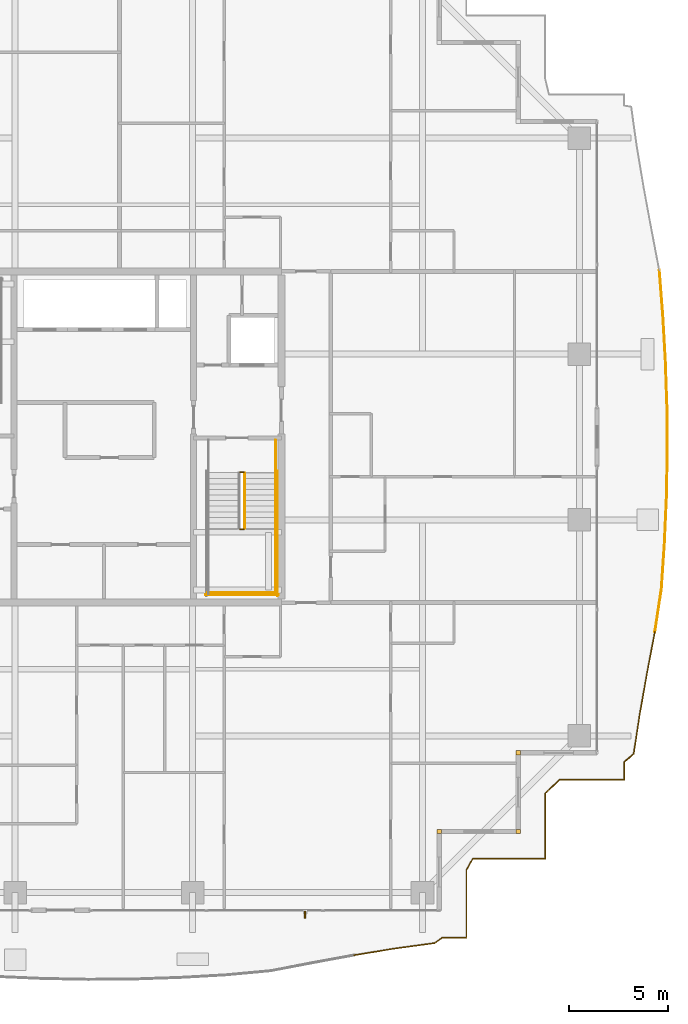
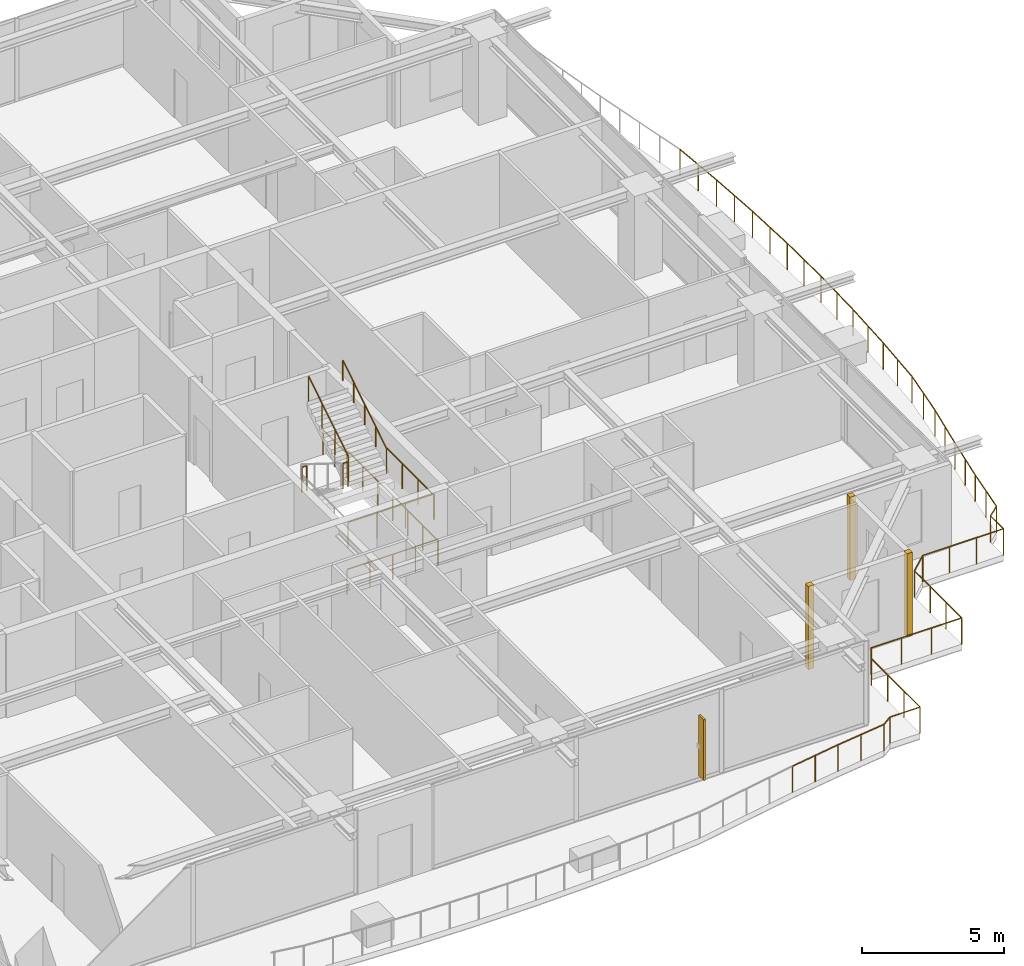
# One storey, part 36 of 37: 12 railings, 3 coverings, 1 shading device.
"""IFC4 building model written with IfcOpenShell, lengths in metres."""

import ifcopenshell
import ifcopenshell.guid

model = None  # the IFC model being written
_history = None  # IfcOwnerHistory: only IFC2X3 demands one
_inside = {}  # id of a spatial element -> (the spatial element, [elements in it])
_under = {}  # id of a project, library or spatial element -> (it, [spatial elements below it])
_declared = {}  # id of a project -> (the project, [libraries it declares])
_typed = {}  # id of a type object -> (the type object, [elements of that type])
_made_of = {}  # id of a material, layer set ... -> (it, [elements and type objects made of it])


def new_model(schema):
    """Start an empty IFC model of exactly this schema.

    Asked for "IFC4X3", IfcOpenShell would pick the latest addendum, in which some entities
    have other attributes; the version numbers below select the first issue.
    IFC2X3 requires an IfcOwnerHistory on every rooted entity: one is made here for all.
    """
    global model, _history
    if schema == "IFC4X3":
        model = ifcopenshell.file(schema_version=(4, 3, 0, 0))
    else:
        model = ifcopenshell.file(schema=schema)
    _inside.clear()
    _under.clear()
    _declared.clear()
    _typed.clear()
    _made_of.clear()
    _history = None
    if model.schema == "IFC2X3":
        org = make("IfcOrganization", Name="unknown")
        user = make(
            "IfcPersonAndOrganization",
            ThePerson=make("IfcPerson", FamilyName="unknown"),
            TheOrganization=org,
        )
        app = make(
            "IfcApplication",
            ApplicationDeveloper=org,
            Version="unknown",
            ApplicationFullName="unknown",
            ApplicationIdentifier="unknown",
        )
        _history = make(
            "IfcOwnerHistory",
            OwningUser=user,
            OwningApplication=app,
            ChangeAction="ADDED",
            CreationDate=0,
        )
    return model


def make(cls, **values):
    """One entity of the class cls with the attributes given. An attribute that is None is left unset."""
    return model.create_entity(
        cls, **{name: value for name, value in values.items() if value is not None}
    )


def rooted(cls, **values):
    """An entity with a GlobalId (a new one), such as an element, a storey or a relation."""
    return make(cls, GlobalId=ifcopenshell.guid.new(), OwnerHistory=_history, **values)


def si_unit(unit_type, name, prefix=None):
    """IfcSIUnit, for example si_unit("LENGTHUNIT", "METRE", prefix="MILLI")."""
    return make("IfcSIUnit", UnitType=unit_type, Prefix=prefix, Name=name)


def assignment(units):
    """IfcUnitAssignment: the units of a project."""
    return None if units is None else make("IfcUnitAssignment", Units=units)


def point(xyz):
    """IfcCartesianPoint."""
    return None if xyz is None else make("IfcCartesianPoint", Coordinates=xyz)


def direction(xyz):
    """IfcDirection."""
    return None if xyz is None else make("IfcDirection", DirectionRatios=xyz)


def frame(location, z_axis=None, x_axis=None):
    """IfcAxis2Placement3D, a coordinate frame: its origin and axes. An axis left out is left unset."""
    return make(
        "IfcAxis2Placement3D",
        Location=point(location),
        Axis=direction(z_axis),
        RefDirection=direction(x_axis),
    )


def frame_2d(location, x_axis=None):
    """IfcAxis2Placement2D, a coordinate frame in the plane: its origin and x axis."""
    return make(
        "IfcAxis2Placement2D", Location=point(location), RefDirection=direction(x_axis)
    )


def origin():
    """The frame at (0, 0, 0) with its axes left unset."""
    return frame((0.0, 0.0, 0.0))


def origin_2d():
    """The frame at (0, 0) in the plane with its x axis left unset."""
    return frame_2d((0.0, 0.0))


def place(relative_to, where):
    """IfcLocalPlacement: puts the frame where relative to a parent placement (None: the world)."""
    return make(
        "IfcLocalPlacement", PlacementRelTo=relative_to, RelativePlacement=where
    )


def context(
    kind, dimensions, precision=None, world=None, true_north=None, identifier=None
):
    """IfcGeometricRepresentationContext, for example the 3D "Model" context."""
    return make(
        "IfcGeometricRepresentationContext",
        ContextIdentifier=identifier,
        ContextType=kind,
        CoordinateSpaceDimension=dimensions,
        Precision=precision,
        WorldCoordinateSystem=world,
        TrueNorth=true_north,
    )


def subcontext(parent, identifier, kind, view, scale=None):
    """IfcGeometricRepresentationSubContext, for example "Body" below "Model"."""
    return make(
        "IfcGeometricRepresentationSubContext",
        ContextIdentifier=identifier,
        ContextType=kind,
        ParentContext=parent,
        TargetScale=scale,
        TargetView=view,
    )


def project(units=None, contexts=None):
    """IfcProject with its units and contexts."""
    return rooted(
        "IfcProject",
        Name="project",
        RepresentationContexts=contexts,
        UnitsInContext=assignment(units),
    )


def spatial(cls, under=None, at=None, **own):
    """A site, building, storey or space (cls), placed at a placement, below another one or the project."""
    s = rooted(cls, ObjectPlacement=at, **own)
    if under is not None:
        _under.setdefault(under.id(), (under, []))[1].append(s)
    return s


def profile(cls, at=None, kind="AREA", **sizes):
    """A parametric profile (cls). Its sizes go by their IFC names, for example OverallWidth=200.0."""
    return make(cls, ProfileType=kind, Position=at, **sizes)


def rectangle(**sizes):
    """IfcRectangleProfileDef."""
    return profile("IfcRectangleProfileDef", **sizes)


def circle(**sizes):
    """IfcCircleProfileDef."""
    return profile("IfcCircleProfileDef", **sizes)


def extrude(swept, where, along, depth):
    """IfcExtrudedAreaSolid: the profile swept, set in the frame where, extruded along a direction by depth."""
    return make(
        "IfcExtrudedAreaSolid",
        SweptArea=swept,
        Position=where,
        ExtrudedDirection=direction(along),
        Depth=depth,
    )


def shape(context_of_items, identifier, shape_type, items):
    """IfcShapeRepresentation: the items that make up one representation, for example the "Body"."""
    return make(
        "IfcShapeRepresentation",
        ContextOfItems=context_of_items,
        RepresentationIdentifier=identifier,
        RepresentationType=shape_type,
        Items=items,
    )


def source(mapping_origin, context_of_items, identifier, shape_type, items):
    """IfcRepresentationMap: a shape defined once, which mapped items show again and again."""
    return make(
        "IfcRepresentationMap",
        MappingOrigin=mapping_origin,
        MappedRepresentation=shape(context_of_items, identifier, shape_type, items),
    )


def transform(
    local_origin,
    x_axis=None,
    y_axis=None,
    z_axis=None,
    scale=None,
    scale2=None,
    scale3=None,
    uniform=True,
):
    """IfcCartesianTransformationOperator3D, or its non-uniform kind. x_axis, y_axis, z_axis: its Axis1, 2, 3."""
    if uniform:
        return make(
            "IfcCartesianTransformationOperator3D",
            Axis1=direction(x_axis),
            Axis2=direction(y_axis),
            LocalOrigin=point(local_origin),
            Scale=scale,
            Axis3=direction(z_axis),
        )
    return make(
        "IfcCartesianTransformationOperator3DnonUniform",
        Axis1=direction(x_axis),
        Axis2=direction(y_axis),
        LocalOrigin=point(local_origin),
        Scale=scale,
        Axis3=direction(z_axis),
        Scale2=scale2,
        Scale3=scale3,
    )


def mapped(mapping_source, mapping_target):
    """IfcMappedItem: shows the shape of a source again, moved by a transform."""
    return make(
        "IfcMappedItem", MappingSource=mapping_source, MappingTarget=mapping_target
    )


def material(Name=None, Category=None):
    """IfcMaterial."""
    return make("IfcMaterial", Name=Name, Category=Category)


def layer(
    of_material, thickness, ventilated=None, Name=None, Category=None, Priority=None
):
    """IfcMaterialLayer: one layer of a wall or slab, of a material (None: an air gap)."""
    return make(
        "IfcMaterialLayer",
        Material=of_material,
        LayerThickness=thickness,
        IsVentilated=ventilated,
        Name=Name,
        Category=Category,
        Priority=Priority,
    )


def layer_set(layers, Name=None):
    """IfcMaterialLayerSet."""
    return make("IfcMaterialLayerSet", MaterialLayers=layers, LayerSetName=Name)


def made_of(thing, what):
    """Note that an element or type object is made of a material, layer set ...; save() writes the relation."""
    if what is not None:
        _made_of.setdefault(what.id(), (what, []))[1].append(thing)
    return thing


def type_object(cls, material=None, **own):
    """A type object (cls), such as IfcWallType, which elements share."""
    return made_of(rooted(cls, **own), material)


def element(
    cls,
    number,
    at=None,
    inside=None,
    cuts=None,
    type_object=None,
    material=None,
    context=None,
    identifier="Body",
    shape_type=None,
    held_by="IfcProductDefinitionShape",
    body=None,
    shapes=None,
    **own,
):
    """One element of the class cls, such as IfcWall. Its Tag is "e" and its number.

    at: its placement. inside: the storey or other place that contains it. cuts: it is an
    opening in that element (IfcRelVoidsElement). A single representation is given by context,
    identifier, shape_type and body (its items); several are given by shapes. held_by: the class
    of the entity that holds the representations. save() writes the other relations.
    """
    e = rooted(cls, Tag="e%d" % number, ObjectPlacement=at, **own)
    if body is not None:
        shapes = [shape(context, identifier, shape_type, body)]
    if shapes is not None:
        e.Representation = make(held_by, Representations=shapes)
    if inside is not None:
        _inside.setdefault(inside.id(), (inside, []))[1].append(e)
    if cuts is not None:
        rooted(
            "IfcRelVoidsElement", RelatingBuildingElement=cuts, RelatedOpeningElement=e
        )
    if type_object is not None:
        _typed.setdefault(type_object.id(), (type_object, []))[1].append(e)
    return made_of(e, material)


def aggregate(whole, parts):
    """IfcRelAggregates: a whole, such as a stair, and the parts it consists of."""
    return rooted("IfcRelAggregates", RelatingObject=whole, RelatedObjects=parts)


def save(model, path):
    """Write the relations noted so far, then the file.

    IfcRelAggregates (storeys below a building ...), IfcRelContainedInSpatialStructure (elements
    in a storey), IfcRelDefinesByType, IfcRelAssociatesMaterial and IfcRelDeclares: one each for
    every whole, place, type object, material and project.
    """
    for whole, parts in _under.values():
        aggregate(whole, parts)
    for where, things in _inside.values():
        rooted(
            "IfcRelContainedInSpatialStructure",
            RelatedElements=things,
            RelatingStructure=where,
        )
    for kind, things in _typed.values():
        rooted("IfcRelDefinesByType", RelatedObjects=things, RelatingType=kind)
    for what, things in _made_of.values():
        rooted("IfcRelAssociatesMaterial", RelatedObjects=things, RelatingMaterial=what)
    for by, libraries in _declared.values():
        rooted("IfcRelDeclares", RelatingContext=by, RelatedDefinitions=libraries)
    model.write(path)


model = new_model("IFC4")

# Units and contexts
model_context = context("Model", 3, precision=1e-05, world=origin(), true_north=direction((0.0, 1.0)))
body_context = subcontext(model_context, "Body", "Model", "MODEL_VIEW")
ifc_project = project(units=[si_unit("LENGTHUNIT", "METRE"), si_unit("AREAUNIT", "SQUARE_METRE"), si_unit("VOLUMEUNIT", "CUBIC_METRE"), si_unit("PLANEANGLEUNIT", "RADIAN"), si_unit("MASSUNIT", "GRAM", prefix="KILO")], contexts=[model_context])

# Site, building, storey
site_placement = place(None, origin())
site = spatial("IfcSite", under=ifc_project, at=site_placement, CompositionType="ELEMENT")
building_placement = place(site_placement, origin())
building = spatial("IfcBuilding", under=site, at=building_placement, Name="Serunith Strait Residences", CompositionType="ELEMENT")
storey_placement = place(building_placement, frame((0.0, 0.0, 275.89990234375)))
storey = spatial("IfcBuildingStorey", under=building, at=storey_placement, Name="L69", CompositionType="ELEMENT", Elevation=275.89990234375)

# Railings
ifc_material_1 = material(Name="Stainless Steel & Laminated Glass Balustrade", Category="steel")
railing_type_1 = type_object("IfcRailingType", Name="RLG-BALC-1150", PredefinedType="BALUSTRADE", material=ifc_material_1)
railing_1_placement = place(storey_placement, frame((60.5615234375, 33.6484375, -0.0498046875)))
element("IfcRailing", 1, at=railing_1_placement, inside=storey, type_object=railing_type_1, Name="L69 Swirling Balcony Perimeter Balustrade 4", PredefinedType="BALUSTRADE", context=body_context, shape_type="SweptSolid", body=[
    extrude(circle(Radius=0.02392578125, at=origin_2d()), frame((0.000244140625, -0.001953125, 1.1259765625), z_axis=(0.077931130561, -0.996958744828, 0.0), x_axis=(0.996958744828, 0.077931130561, 0.0)), (0.0, 0.0, 1.0), 2.26416015625),
    extrude(circle(Radius=0.02392578125, at=origin_2d()), frame((0.1767578125, -2.26318359375, 1.1259765625), z_axis=(0.057209994474, -0.998362167018, 0.0), x_axis=(0.998362167018, 0.057209994474, 0.0)), (0.0, 0.0, 1.0), 2.296142578125),
    extrude(circle(Radius=0.02392578125, at=origin_2d()), frame((0.308349609375, -4.5595703125, 1.1259765625), z_axis=(0.033962510651, -0.999423107533, 0.0), x_axis=(0.999423107533, 0.033962510651, 0.0)), (0.0, 0.0, 1.0), 2.31787109375),
    extrude(circle(Radius=0.02392578125, at=origin_2d()), frame((0.38720703125, -6.880126953125, 1.1259765625), z_axis=(0.007851516774, -0.999969176367, 0.0), x_axis=(0.999969176367, 0.007851516774, 0.0)), (0.0, 0.0, 1.0), 2.328125),
    extrude(circle(Radius=0.02392578125, at=origin_2d()), frame((0.405517578125, -9.212158203125, 1.1259765625), z_axis=(-0.019082095374, -0.999817920242, 0.0), x_axis=(0.999817920242, -0.019082095374, 0.0)), (0.0, 0.0, 1.0), 2.324462890625),
    extrude(circle(Radius=0.02392578125, at=origin_2d()), frame((0.361083984375, -11.540283203125, 1.1259765625), z_axis=(-0.044665241547, -0.999002010107, 0.0), x_axis=(0.999002010107, -0.044665241547, 0.0)), (0.0, 0.0, 1.0), 2.30810546875),
    extrude(circle(Radius=0.02392578125, at=origin_2d()), frame((0.257568359375, -13.85009765625, 1.1259765625), z_axis=(-0.066462274559, -0.997788938634, 0.0), x_axis=(0.997788938634, -0.066462274559, 0.0)), (0.0, 0.0, 1.0), 2.28076171875),
    extrude(circle(Radius=0.02392578125, at=origin_2d()), frame((0.105712890625, -16.1298828125, 1.1259765625), z_axis=(-0.150285148017, -0.988642692931, 0.0), x_axis=(0.988642692931, -0.150285148017, 0.0)), (0.0, 0.0, 1.0), 2.2119140625),
    extrude(circle(Radius=0.02099609375, at=origin_2d()), origin(), (0.0, 0.0, 1.0), 1.099853515625),
    extrude(circle(Radius=0.02099609375, at=origin_2d()), frame((0.08837890625, -1.130615234375, 0.0)), (0.0, 0.0, 1.0), 1.099853515625),
    extrude(circle(Radius=0.02099609375, at=origin_2d()), frame((0.1767578125, -2.26123046875, 0.0)), (0.0, 0.0, 1.0), 1.099853515625),
    extrude(circle(Radius=0.02099609375, at=origin_2d()), frame((0.24267578125, -3.409423828125, 0.0)), (0.0, 0.0, 1.0), 1.099853515625),
    extrude(circle(Radius=0.02099609375, at=origin_2d()), frame((0.308349609375, -4.5576171875, 0.0)), (0.0, 0.0, 1.0), 1.099853515625),
    extrude(circle(Radius=0.02099609375, at=origin_2d()), frame((0.34765625, -5.7177734375, 0.0)), (0.0, 0.0, 1.0), 1.099853515625),
    extrude(circle(Radius=0.02099609375, at=origin_2d()), frame((0.38720703125, -6.878173828125, 0.0)), (0.0, 0.0, 1.0), 1.099853515625),
    extrude(circle(Radius=0.02099609375, at=origin_2d()), frame((0.396484375, -8.044189453125, 0.0)), (0.0, 0.0, 1.0), 1.099853515625),
    extrude(circle(Radius=0.02099609375, at=origin_2d()), frame((0.405517578125, -9.210205078125, 0.0)), (0.0, 0.0, 1.0), 1.099853515625),
    extrude(circle(Radius=0.02099609375, at=origin_2d()), frame((0.38330078125, -10.374267578125, 0.0)), (0.0, 0.0, 1.0), 1.099853515625),
    extrude(circle(Radius=0.02099609375, at=origin_2d()), frame((0.361083984375, -11.538330078125, 0.0)), (0.0, 0.0, 1.0), 1.099853515625),
    extrude(circle(Radius=0.02099609375, at=origin_2d()), frame((0.3095703125, -12.693359375, 0.0)), (0.0, 0.0, 1.0), 1.099853515625),
    extrude(circle(Radius=0.02099609375, at=origin_2d()), frame((0.2578125, -13.84814453125, 0.0)), (0.0, 0.0, 1.0), 1.099853515625),
    extrude(circle(Radius=0.02099609375, at=origin_2d()), frame((0.181884765625, -14.988037109375, 0.0)), (0.0, 0.0, 1.0), 1.099853515625),
    extrude(circle(Radius=0.02099609375, at=origin_2d()), frame((0.10595703125, -16.1279296875, 0.0)), (0.0, 0.0, 1.0), 1.099853515625),
    extrude(circle(Radius=0.02099609375, at=origin_2d()), frame((-0.060546875, -17.22314453125, 0.0)), (0.0, 0.0, 1.0), 1.099853515625),
    extrude(circle(Radius=0.02099609375, at=origin_2d()), frame((-0.22705078125, -18.318603515625, 0.0)), (0.0, 0.0, 1.0), 1.099853515625),
])
railing_2_placement = place(storey_placement, frame((60.33447265625, 15.329833984375, -0.0498046875)))
element("IfcRailing", 2, at=railing_2_placement, inside=storey, type_object=railing_type_1, Name="L69 Swirling Balcony Perimeter Balustrade 5", PredefinedType="BALUSTRADE", context=body_context, shape_type="SweptSolid", body=[
    extrude(circle(Radius=0.02392578125, at=origin_2d()), frame((-0.00048828125, -0.001953125, 1.1259765625), z_axis=(-0.186803473393, -0.982397303706, 0.0), x_axis=(0.982397303706, -0.186803473393, 0.0)), (0.0, 0.0, 1.0), 2.140625),
    extrude(circle(Radius=0.02392578125, at=origin_2d()), frame((-0.40087890625, -2.10888671875, 1.1259765625), z_axis=(-0.174078186769, -0.984731833999, 0.0), x_axis=(0.984731833999, -0.174078186769, 0.0)), (0.0, 0.0, 1.0), 2.08837890625),
    extrude(circle(Radius=0.02392578125, at=origin_2d()), frame((-0.76513671875, -4.16943359375, 1.1259765625), z_axis=(-0.151637786769, -0.988436129259, 0.0), x_axis=(0.988436129259, -0.151637786769, 0.0)), (0.0, 0.0, 1.0), 2.052001953125),
    extrude(circle(Radius=0.02392578125, at=origin_2d()), frame((-1.078125, -6.200927734375, 1.1259765625), z_axis=(-0.765489063024, -0.643448905812, 0.0), x_axis=(0.643448905812, -0.765489063024, 0.0)), (0.0, 0.0, 1.0), 0.6201171875),
    extrude(circle(Radius=0.02392578125, at=origin_2d()), frame((-1.554443359375, -6.603271484375, 1.1259765625), z_axis=(0.0, -1.0, 0.0), x_axis=(1.0, 0.0, 0.0)), (0.0, 0.0, 1.0), 0.904541015625),
    extrude(circle(Radius=0.02392578125, at=origin_2d()), frame((-1.556396484375, -7.509765625, 1.1259765625), z_axis=(-1.0, 0.0, 0.0), x_axis=(0.0, -1.0, 0.0)), (0.0, 0.0, 1.0), 3.271240234375),
    extrude(circle(Radius=0.02392578125, at=origin_2d()), frame((-4.8310546875, -7.51123046875, 1.1259765625), z_axis=(-0.732538599527, -0.680725495485, 0.0), x_axis=(0.680725495485, -0.732538599527, 0.0)), (0.0, 0.0, 1.0), 0.985595703125),
    extrude(circle(Radius=0.02392578125, at=origin_2d()), frame((-5.554443359375, -8.185302734375, 1.1259765625), z_axis=(0.0, -1.0, 0.0), x_axis=(1.0, 0.0, 0.0)), (0.0, 0.0, 1.0), 3.322509765625),
    extrude(circle(Radius=0.02099609375, at=origin_2d()), origin(), (0.0, 0.0, 1.0), 1.099853515625),
    extrude(circle(Radius=0.02099609375, at=origin_2d()), frame((-0.2001953125, -1.053466796875, 0.0)), (0.0, 0.0, 1.0), 1.099853515625),
    extrude(circle(Radius=0.02099609375, at=origin_2d()), frame((-0.400634765625, -2.10693359375, 0.0)), (0.0, 0.0, 1.0), 1.099853515625),
    extrude(circle(Radius=0.02099609375, at=origin_2d()), frame((-0.582763671875, -3.13720703125, 0.0)), (0.0, 0.0, 1.0), 1.099853515625),
    extrude(circle(Radius=0.02099609375, at=origin_2d()), frame((-0.764892578125, -4.16748046875, 0.0)), (0.0, 0.0, 1.0), 1.099853515625),
    extrude(circle(Radius=0.02099609375, at=origin_2d()), frame((-0.9208984375, -5.18359375, 0.0)), (0.0, 0.0, 1.0), 1.099853515625),
    extrude(circle(Radius=0.02099609375, at=origin_2d()), frame((-1.07666015625, -6.19970703125, 0.0)), (0.0, 0.0, 1.0), 1.099853515625),
    extrude(circle(Radius=0.02099609375, at=origin_2d()), frame((-1.554443359375, -6.601318359375, 0.0)), (0.0, 0.0, 1.0), 1.099853515625),
    extrude(circle(Radius=0.02099609375, at=origin_2d()), frame((-1.554443359375, -7.509765625, 0.0)), (0.0, 0.0, 1.0), 1.099853515625),
    extrude(circle(Radius=0.02099609375, at=origin_2d()), frame((-2.646240234375, -7.509765625, 0.0)), (0.0, 0.0, 1.0), 1.099853515625),
    extrude(circle(Radius=0.02099609375, at=origin_2d()), frame((-3.73779296875, -7.509765625, 0.0)), (0.0, 0.0, 1.0), 1.099853515625),
    extrude(circle(Radius=0.02099609375, at=origin_2d()), frame((-4.82958984375, -7.509765625, 0.0)), (0.0, 0.0, 1.0), 1.099853515625),
    extrude(circle(Radius=0.02099609375, at=origin_2d()), frame((-5.554443359375, -8.183349609375, 0.0)), (0.0, 0.0, 1.0), 1.099853515625),
    extrude(circle(Radius=0.02099609375, at=origin_2d()), frame((-5.554443359375, -9.292236328125, 0.0)), (0.0, 0.0, 1.0), 1.099853515625),
    extrude(circle(Radius=0.02099609375, at=origin_2d()), frame((-5.554443359375, -10.40087890625, 0.0)), (0.0, 0.0, 1.0), 1.099853515625),
    extrude(circle(Radius=0.02099609375, at=origin_2d()), frame((-5.554443359375, -11.509765625, 0.0)), (0.0, 0.0, 1.0), 1.099853515625),
])
railing_3_placement = place(storey_placement, frame((54.780029296875, 3.820068359375, -0.0498046875)))
element("IfcRailing", 3, at=railing_3_placement, inside=storey, type_object=railing_type_1, Name="L69 Swirling Balcony Perimeter Balustrade 6", PredefinedType="BALUSTRADE", context=body_context, shape_type="SweptSolid", body=[
    extrude(circle(Radius=0.02392578125, at=origin_2d()), frame((-0.001953125, 0.0, 1.1259765625), z_axis=(-1.0, 0.0, 0.0), x_axis=(0.0, -1.0, 0.0)), (0.0, 0.0, 1.0), 3.673095703125),
    extrude(circle(Radius=0.02392578125, at=origin_2d()), frame((-3.677978515625, -0.001708984375, 1.1259765625), z_axis=(-0.484616262438, -0.874726859185, 0.0), x_axis=(0.874726859185, -0.484616262438, 0.0)), (0.0, 0.0, 1.0), 0.66259765625),
    extrude(circle(Radius=0.02392578125, at=origin_2d()), frame((-4.0, -0.5849609375, 1.1259765625), z_axis=(0.0, -1.0, 0.0), x_axis=(1.0, 0.0, 0.0)), (0.0, 0.0, 1.0), 3.4130859375),
    extrude(circle(Radius=0.02392578125, at=origin_2d()), frame((-4.001953125, -4.0, 1.1259765625), z_axis=(-1.0, 0.0, 0.0), x_axis=(0.0, -1.0, 0.0)), (0.0, 0.0, 1.0), 1.218505859375),
    extrude(circle(Radius=0.02392578125, at=origin_2d()), frame((-5.22412109375, -4.001220703125, 1.1259765625), z_axis=(-0.821729697606, -0.569877446537, 0.0), x_axis=(0.569877446537, -0.821729697606, 0.0)), (0.0, 0.0, 1.0), 0.490478515625),
    extrude(circle(Radius=0.02392578125, at=origin_2d()), frame((-5.630615234375, -4.281982421875, 1.1259765625), z_axis=(-0.990809087356, -0.135267706468, 0.0), x_axis=(0.135267706468, -0.990809087356, 0.0)), (0.0, 0.0, 1.0), 2.041015625),
    extrude(circle(Radius=0.02392578125, at=origin_2d()), frame((-7.65673828125, -4.55859375, 1.1259765625), z_axis=(-0.986908016279, -0.161284120125, 0.0), x_axis=(0.161284120125, -0.986908016279, 0.0)), (0.0, 0.0, 1.0), 2.068359375),
    extrude(circle(Radius=0.02099609375, at=origin_2d()), origin(), (0.0, 0.0, 1.0), 1.099853515625),
    extrude(circle(Radius=0.02099609375, at=origin_2d()), frame((-1.2255859375, 0.0, 0.0)), (0.0, 0.0, 1.0), 1.099853515625),
    extrude(circle(Radius=0.02099609375, at=origin_2d()), frame((-2.451416015625, 0.0, 0.0)), (0.0, 0.0, 1.0), 1.099853515625),
    extrude(circle(Radius=0.02099609375, at=origin_2d()), frame((-3.677001953125, 0.0, 0.0)), (0.0, 0.0, 1.0), 1.099853515625),
    extrude(circle(Radius=0.02099609375, at=origin_2d()), frame((-4.0, -0.5830078125, 0.0)), (0.0, 0.0, 1.0), 1.099853515625),
    extrude(circle(Radius=0.02099609375, at=origin_2d()), frame((-4.0, -1.721923828125, 0.0)), (0.0, 0.0, 1.0), 1.099853515625),
    extrude(circle(Radius=0.02099609375, at=origin_2d()), frame((-4.0, -2.861083984375, 0.0)), (0.0, 0.0, 1.0), 1.099853515625),
    extrude(circle(Radius=0.02099609375, at=origin_2d()), frame((-4.0, -4.0, 0.0)), (0.0, 0.0, 1.0), 1.099853515625),
    extrude(circle(Radius=0.02099609375, at=origin_2d()), frame((-5.222412109375, -4.0, 0.0)), (0.0, 0.0, 1.0), 1.099853515625),
    extrude(circle(Radius=0.02099609375, at=origin_2d()), frame((-5.628662109375, -4.28173828125, 0.0)), (0.0, 0.0, 1.0), 1.099853515625),
    extrude(circle(Radius=0.02099609375, at=origin_2d()), frame((-6.6416015625, -4.419921875, 0.0)), (0.0, 0.0, 1.0), 1.099853515625),
    extrude(circle(Radius=0.02099609375, at=origin_2d()), frame((-7.65478515625, -4.558349609375, 0.0)), (0.0, 0.0, 1.0), 1.099853515625),
    extrude(circle(Radius=0.02099609375, at=origin_2d()), frame((-8.67724609375, -4.7255859375, 0.0)), (0.0, 0.0, 1.0), 1.099853515625),
    extrude(circle(Radius=0.02099609375, at=origin_2d()), frame((-9.699951171875, -4.892578125, 0.0)), (0.0, 0.0, 1.0), 1.099853515625),
])
ifc_material_2 = material(Name="Brushed stainless steel 316L", Category="steel")
railing_type_2 = type_object("IfcRailingType", Name="RLG-STAIR-GUARD", PredefinedType="BALUSTRADE", material=ifc_material_2)
railing_4_placement = place(storey_placement, frame((39.300048828125, 20.52001953125, 1.925048828125)))
element("IfcRailing", 4, at=railing_4_placement, inside=storey, type_object=railing_type_2, Name="L69 ST-2 stair guard 2", PredefinedType="BALUSTRADE", context=body_context, shape_type="SweptSolid", body=[
    extrude(circle(Radius=0.02392578125, at=origin_2d()), frame((0.001953125, 0.0, 1.076171875), z_axis=(1.0, 0.0, 0.0), x_axis=(0.0, 1.0, 0.0)), (0.0, 0.0, 1.0), 0.196044921875),
    extrude(circle(Radius=0.02099609375, at=origin_2d()), origin(), (0.0, 0.0, 1.0), 1.050048828125),
    extrude(circle(Radius=0.02099609375, at=origin_2d()), frame((0.199951171875, 0.0, 0.0)), (0.0, 0.0, 1.0), 1.050048828125),
])
railing_5_placement = place(storey_placement, frame((41.10009765625, 20.570068359375, 1.925048828125)))
element("IfcRailing", 5, at=railing_5_placement, inside=storey, type_object=railing_type_2, Name="L69 ST-2 stair guard 4", PredefinedType="BALUSTRADE", context=body_context, shape_type="SweptSolid", body=[
    extrude(circle(Radius=0.02392578125, at=origin_2d()), frame((0.0, -0.001953125, 1.076171875), z_axis=(0.0, -1.0, 0.0), x_axis=(1.0, 0.0, 0.0)), (0.0, 0.0, 1.0), 3.316162109375),
    extrude(circle(Radius=0.02099609375, at=origin_2d()), origin(), (0.0, 0.0, 1.0), 1.050048828125),
    extrude(circle(Radius=0.02099609375, at=origin_2d()), frame((0.0, -1.106689453125, 0.0)), (0.0, 0.0, 1.0), 1.050048828125),
    extrude(circle(Radius=0.02099609375, at=origin_2d()), frame((0.0, -2.21337890625, 0.0)), (0.0, 0.0, 1.0), 1.050048828125),
    extrude(circle(Radius=0.02099609375, at=origin_2d()), frame((0.0, -3.320068359375, 0.0)), (0.0, 0.0, 1.0), 1.050048828125),
])
railing_6_placement = place(storey_placement, frame((37.64990234375, 17.300048828125, 1.925048828125)))
element("IfcRailing", 6, at=railing_6_placement, inside=storey, type_object=railing_type_2, Name="L69 ST-2 stair guard 5", PredefinedType="BALUSTRADE", context=body_context, shape_type="SweptSolid", body=[
    extrude(circle(Radius=0.02392578125, at=origin_2d()), frame((0.001953125, 0.0, 1.076171875), z_axis=(1.0, 0.0, 0.0), x_axis=(0.0, 1.0, 0.0)), (0.0, 0.0, 1.0), 3.49609375),
    extrude(circle(Radius=0.02099609375, at=origin_2d()), origin(), (0.0, 0.0, 1.0), 1.050048828125),
    extrude(circle(Radius=0.02099609375, at=origin_2d()), frame((1.166748046875, 0.0, 0.0)), (0.0, 0.0, 1.0), 1.050048828125),
    extrude(circle(Radius=0.02099609375, at=origin_2d()), frame((2.333251953125, 0.0, 0.0)), (0.0, 0.0, 1.0), 1.050048828125),
    extrude(circle(Radius=0.02099609375, at=origin_2d()), frame((3.5, 0.0, 0.0)), (0.0, 0.0, 1.0), 1.050048828125),
])
railing_7_placement = place(storey_placement, frame((39.550048828125, 20.570068359375, 2.10009765625)))
element("IfcRailing", 7, at=railing_7_placement, inside=storey, type_object=railing_type_2, Name="L69 ST-2 stair guard 6", PredefinedType="BALUSTRADE", context=body_context, shape_type="SweptSolid", body=[
    extrude(circle(Radius=0.02392578125, at=origin_2d()), frame((0.0, 0.001708984375, 1.0771484375), z_axis=(0.0, 0.848002457836, 0.529992293815), x_axis=(-1.0, 0.0, 0.0)), (0.0, 0.0, 1.0), 3.2978515625),
    extrude(circle(Radius=0.02099609375, at=origin_2d()), origin(), (0.0, 0.0, 1.0), 1.050048828125),
    extrude(circle(Radius=0.02099609375, at=origin_2d()), frame((0.0, 0.933349609375, 0.583251953125)), (0.0, 0.0, 1.0), 1.050048828125),
    extrude(circle(Radius=0.02099609375, at=origin_2d()), frame((0.0, 1.86669921875, 1.166748046875)), (0.0, 0.0, 1.0), 1.050048828125),
    extrude(circle(Radius=0.02099609375, at=origin_2d()), frame((0.0, 2.800048828125, 1.75)), (0.0, 0.0, 1.0), 1.050048828125),
])
railing_8_placement = place(storey_placement, frame((39.300048828125, 23.419921875, 0.0)))
element("IfcRailing", 8, at=railing_8_placement, inside=storey, type_object=railing_type_2, Name="L69 ST-2 stair guard 7", PredefinedType="BALUSTRADE", context=body_context, shape_type="SweptSolid", body=[
    extrude(circle(Radius=0.02392578125, at=origin_2d()), frame((0.001953125, 0.0, 1.076171875), z_axis=(1.0, 0.0, 0.0), x_axis=(0.0, 1.0, 0.0)), (0.0, 0.0, 1.0), 0.196044921875),
    extrude(circle(Radius=0.02099609375, at=origin_2d()), origin(), (0.0, 0.0, 1.0), 1.050048828125),
    extrude(circle(Radius=0.02099609375, at=origin_2d()), frame((0.199951171875, 0.0, 0.0)), (0.0, 0.0, 1.0), 1.050048828125),
])
railing_9_placement = place(storey_placement, frame((41.10009765625, 25.050048828125, 0.0)))
element("IfcRailing", 9, at=railing_9_placement, inside=storey, type_object=railing_type_2, Name="L69 ST-2 stair guard 9", PredefinedType="BALUSTRADE", context=body_context, shape_type="SweptSolid", body=[
    extrude(circle(Radius=0.02392578125, at=origin_2d()), frame((0.0, -0.001953125, 1.076171875), z_axis=(0.0, -1.0, 0.0), x_axis=(1.0, 0.0, 0.0)), (0.0, 0.0, 1.0), 1.676025390625),
    extrude(circle(Radius=0.02099609375, at=origin_2d()), origin(), (0.0, 0.0, 1.0), 1.050048828125),
    extrude(circle(Radius=0.02099609375, at=origin_2d()), frame((0.0, -0.83984375, 0.0)), (0.0, 0.0, 1.0), 1.050048828125),
    extrude(circle(Radius=0.02099609375, at=origin_2d()), frame((0.0, -1.679931640625, 0.0)), (0.0, 0.0, 1.0), 1.050048828125),
])
railing_10_placement = place(storey_placement, frame((41.199951171875, 23.469970703125, 0.0)))
element("IfcRailing", 10, at=railing_10_placement, inside=storey, type_object=railing_type_2, Name="L69 ST-2 stair guard 11", PredefinedType="BALUSTRADE", context=body_context, shape_type="SweptSolid", body=[
    extrude(circle(Radius=0.02392578125, at=origin_2d()), frame((0.0, -0.001953125, 1.076171875), z_axis=(0.0, -1.0, 0.0), x_axis=(1.0, 0.0, 0.0)), (0.0, 0.0, 1.0), 6.316162109375),
    extrude(circle(Radius=0.02099609375, at=origin_2d()), origin(), (0.0, 0.0, 1.0), 1.050048828125),
    extrude(circle(Radius=0.02099609375, at=origin_2d()), frame((0.0, -1.05322265625, 0.0)), (0.0, 0.0, 1.0), 1.050048828125),
    extrude(circle(Radius=0.02099609375, at=origin_2d()), frame((0.0, -2.106689453125, 0.0)), (0.0, 0.0, 1.0), 1.050048828125),
    extrude(circle(Radius=0.02099609375, at=origin_2d()), frame((0.0, -3.16015625, 0.0)), (0.0, 0.0, 1.0), 1.050048828125),
    extrude(circle(Radius=0.02099609375, at=origin_2d()), frame((0.0, -4.21337890625, 0.0)), (0.0, 0.0, 1.0), 1.050048828125),
    extrude(circle(Radius=0.02099609375, at=origin_2d()), frame((0.0, -5.2666015625, 0.0)), (0.0, 0.0, 1.0), 1.050048828125),
    extrude(circle(Radius=0.02099609375, at=origin_2d()), frame((0.0, -6.320068359375, 0.0)), (0.0, 0.0, 1.0), 1.050048828125),
])
railing_11_placement = place(storey_placement, frame((37.550048828125, 17.199951171875, 0.0)))
element("IfcRailing", 11, at=railing_11_placement, inside=storey, type_object=railing_type_2, Name="L69 ST-2 stair guard 12", PredefinedType="BALUSTRADE", context=body_context, shape_type="SweptSolid", body=[
    extrude(circle(Radius=0.02392578125, at=origin_2d()), frame((0.001953125, 0.0, 1.076171875), z_axis=(1.0, 0.0, 0.0), x_axis=(0.0, 1.0, 0.0)), (0.0, 0.0, 1.0), 3.696044921875),
    extrude(circle(Radius=0.02099609375, at=origin_2d()), origin(), (0.0, 0.0, 1.0), 1.050048828125),
    extrude(circle(Radius=0.02099609375, at=origin_2d()), frame((0.925048828125, 0.0, 0.0)), (0.0, 0.0, 1.0), 1.050048828125),
    extrude(circle(Radius=0.02099609375, at=origin_2d()), frame((1.85009765625, 0.0, 0.0)), (0.0, 0.0, 1.0), 1.050048828125),
    extrude(circle(Radius=0.02099609375, at=origin_2d()), frame((2.77490234375, 0.0, 0.0)), (0.0, 0.0, 1.0), 1.050048828125),
    extrude(circle(Radius=0.02099609375, at=origin_2d()), frame((3.699951171875, 0.0, 0.0)), (0.0, 0.0, 1.0), 1.050048828125),
])
railing_type_3 = type_object("IfcRailingType", Name="RLG-STAIR-HR", PredefinedType="HANDRAIL", material=ifc_material_2)
railing_12_placement = place(storey_placement, frame((41.10009765625, 20.570068359375, 2.10009765625)))
element("IfcRailing", 12, at=railing_12_placement, inside=storey, type_object=railing_type_3, Name="L69 ST-2 stair handrail 2", PredefinedType="HANDRAIL", context=body_context, shape_type="SweptSolid", body=[
    extrude(circle(Radius=0.02392578125, at=origin_2d()), frame((0.0, 0.001708984375, 0.876953125), z_axis=(0.0, 0.847375056783, 0.530994833442), x_axis=(-1.0, 0.0, 0.0)), (0.0, 0.0, 1.0), 3.630615234375),
    extrude(circle(Radius=0.02099609375, at=origin_2d()), origin(), (0.0, 0.0, 1.0), 0.849853515625),
    extrude(circle(Radius=0.02099609375, at=origin_2d()), frame((0.0, 0.77001953125, 0.482421875)), (0.0, 0.0, 1.0), 0.849853515625),
    extrude(circle(Radius=0.02099609375, at=origin_2d()), frame((0.0, 1.5400390625, 0.96484375)), (0.0, 0.0, 1.0), 0.849853515625),
    extrude(circle(Radius=0.02099609375, at=origin_2d()), frame((0.0, 2.309814453125, 1.447509765625)), (0.0, 0.0, 1.0), 0.849853515625),
    extrude(circle(Radius=0.02099609375, at=origin_2d()), frame((0.0, 3.079833984375, 1.929931640625)), (0.0, 0.0, 1.0), 0.849853515625),
])

# Shading device
ifc_material_3 = material(Name="Pale-Champagne Perforated Aluminium Fin", Category="aluminium")
shading_device_type = type_object("IfcShadingDeviceType", Name="SHD-DIAG-FIN", PredefinedType="AWNING", material=ifc_material_3)
shared_shape_1 = source(origin(), body_context, "Body", "SweptSolid", [
    extrude(rectangle(XDim=0.080078125, YDim=0.35009765625, at=origin_2d()), origin(), (0.0, 0.0, 1.0), 2.60009765625),
])
shading_device_placement = place(storey_placement, frame((42.60009765625, 0.97998046875, 0.199951171875), z_axis=(0.0, 0.0, 1.0), x_axis=(1.0, 0.0, 0.0)))
element("IfcShadingDevice", 13, at=shading_device_placement, inside=storey, type_object=shading_device_type, Name="L69 Diagonal Rhythm Solar Fin S", PredefinedType="AWNING", context=body_context, shape_type="MappedRepresentation", body=[
    mapped(shared_shape_1, transform((0.0, 0.0, 0.0), scale=1.0)),
])

# Coverings
ifc_material_4 = material(Name="Pale-Champagne Anodised Aluminium", Category="aluminium")
ifc_layer = layer(ifc_material_4, 0.219970703125, Name="Pale-Champagne Anodised Aluminium")
ifc_layer_set = layer_set([ifc_layer], Name="Pale-Champagne Anodised Aluminium")
covering_type = type_object("IfcCoveringType", Name="COV-CORN-TRIM", PredefinedType="CLADDING", material=ifc_layer_set)
shared_shape_2 = source(origin(), body_context, "Body", "SweptSolid", [
    extrude(rectangle(XDim=0.221923828125, YDim=0.221923828125, at=origin_2d()), origin(), (0.0, 0.0, 1.0), 3.574951171875),
])
for number, where, z_axis, x_axis, name in (
    (14, (49.39990234375, 5.199951171875, 0.0), (0.0, 0.0, 1.0), (1.0, 0.0, 0.0), "L69 Girih Serrated Corner Trim Post 02"),
    (15, (53.39990234375, 5.199951171875, 0.0), (0.0, 0.0, 1.0), (1.0, 0.0, 0.0), "L69 Girih Serrated Corner Trim Post 03"),
    (16, (53.39990234375, 9.199951171875, 0.0), (0.0, 0.0, 1.0), (1.0, 0.0, 0.0), "L69 Girih Serrated Corner Trim Post 04"),
):
    element("IfcCovering", number, at=place(storey_placement, frame(where, z_axis=z_axis, x_axis=x_axis)), inside=storey, type_object=covering_type, Name=name, PredefinedType="CLADDING", context=body_context, shape_type="MappedRepresentation", body=[
        mapped(shared_shape_2, transform((0.0, 0.0, 0.0), scale=1.0)),
    ])

save(model, "model.ifc")
